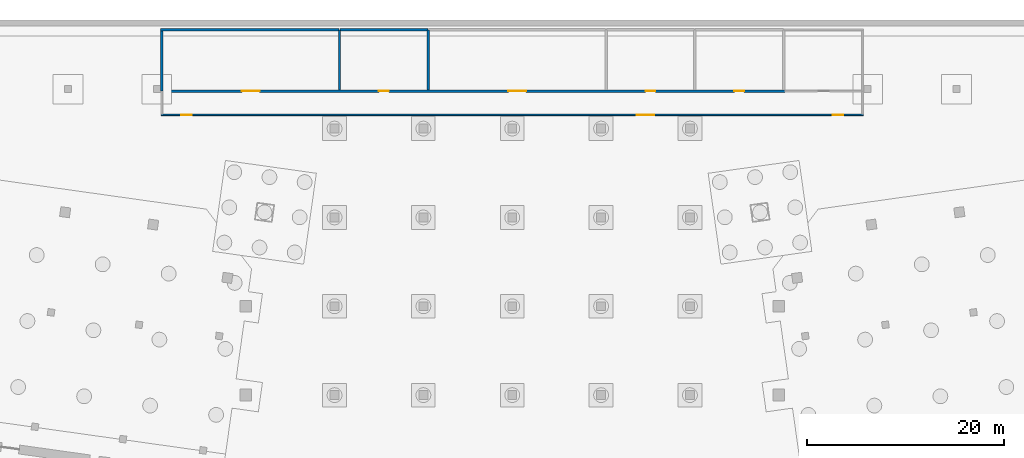
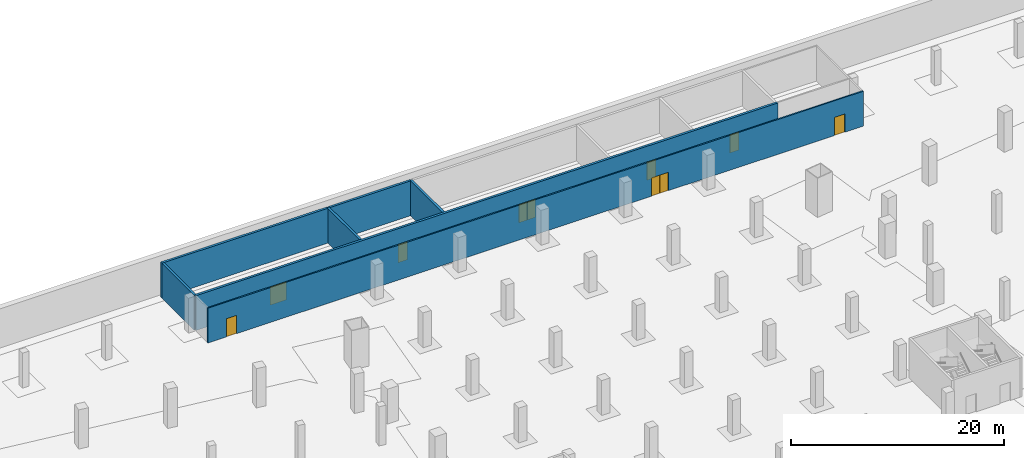
# One storey, part 8 of 19: 8 doors, 7 walls, 8 openings.
"""IFC4 building model written with IfcOpenShell, lengths in metres."""

from ifc_helpers import new_model, si_unit, direction, frame, frame_2d, origin, place, context, subcontext, project, spatial, rectangle, extrude, material, layer, layer_set, type_object, element, fill, save


model = new_model("IFC4")

# Units and contexts
model_context = context("Model", 3, precision=1e-05, world=origin(), true_north=direction((0.0, 1.0)))
body_context = subcontext(model_context, "Body", "Model", "MODEL_VIEW")
ifc_project = project(units=[si_unit("LENGTHUNIT", "METRE"), si_unit("AREAUNIT", "SQUARE_METRE"), si_unit("VOLUMEUNIT", "CUBIC_METRE"), si_unit("PLANEANGLEUNIT", "RADIAN"), si_unit("MASSUNIT", "GRAM", prefix="KILO")], contexts=[model_context])

# Site, building, storey
site_placement = place(None, origin())
site = spatial("IfcSite", under=ifc_project, at=site_placement, CompositionType="ELEMENT")
building_placement = place(site_placement, origin())
building = spatial("IfcBuilding", under=site, at=building_placement, Name="Mirante Cascada Hotel Towers", CompositionType="ELEMENT")
storey_placement = place(building_placement, frame((0.0, 0.0, -9.0)))
storey = spatial("IfcBuildingStorey", under=building, at=storey_placement, Name="B2", CompositionType="ELEMENT", Elevation=-9.0)

# Wall, openings, doors
ifc_material_1 = material(Name="Masonry block", Category="masonry")
ifc_layer_1 = layer(ifc_material_1, 0.25)
ifc_layer_set_1 = layer_set([ifc_layer_1], Name="Basement plant room wall 250 block EI 120")
wall_type_1 = type_object("IfcWallType", Name="Basement plant room wall 250 block EI 120", PredefinedType="PARTITIONING", material=ifc_layer_set_1)
wall_1_placement = place(storey_placement, frame((-35.5, 30.8, 0.0), z_axis=(0.0, 0.0, 1.0), x_axis=(1.0, 0.0, 0.0)))
wall_1 = element("IfcWall", 1, at=wall_1_placement, inside=storey, type_object=wall_type_1, Name="Plant room wall B2", PredefinedType="PARTITIONING", context=body_context, shape_type="SweptSolid", body=[
    extrude(rectangle(XDim=63.135, YDim=0.25, at=frame_2d((31.5675, 0.0))), origin(), (0.0, 0.0, 1.0), 4.0),
])
opening_1_placement = place(wall_1_placement, frame((8.1, 0.0, 0.0)))
opening_1 = element("IfcOpeningElement", 2, at=opening_1_placement, cuts=wall_1, Name="Opening DB-2-01", PredefinedType="OPENING", context=body_context, shape_type="SweptSolid", body=[
    extrude(rectangle(XDim=1.8, YDim=2.1, at=frame_2d((0.9, 1.05))), frame((0.0, 0.125, 0.0), z_axis=(0.0, -1.0, 0.0), x_axis=(1.0, 0.0, 0.0)), (0.0, 0.0, 1.0), 0.25),
])
opening_2_placement = place(wall_1_placement, frame((22.0, 0.0, 0.0)))
opening_2 = element("IfcOpeningElement", 3, at=opening_2_placement, cuts=wall_1, Name="Opening DB-2-02", PredefinedType="OPENING", context=body_context, shape_type="SweptSolid", body=[
    extrude(rectangle(XDim=1.0, YDim=2.1, at=frame_2d((0.5, 1.05))), frame((0.0, 0.125, 0.0), z_axis=(0.0, -1.0, 0.0), x_axis=(1.0, 0.0, 0.0)), (0.0, 0.0, 1.0), 0.25),
])
opening_3_placement = place(wall_1_placement, frame((35.1, 0.0, 0.0)))
opening_3 = element("IfcOpeningElement", 4, at=opening_3_placement, cuts=wall_1, Name="Opening DB-2-03", PredefinedType="OPENING", context=body_context, shape_type="SweptSolid", body=[
    extrude(rectangle(XDim=1.8, YDim=2.1, at=frame_2d((0.9, 1.05))), frame((0.0, 0.125, 0.0), z_axis=(0.0, -1.0, 0.0), x_axis=(1.0, 0.0, 0.0)), (0.0, 0.0, 1.0), 0.25),
])
opening_4_placement = place(wall_1_placement, frame((49.0, 0.0, 0.0)))
opening_4 = element("IfcOpeningElement", 5, at=opening_4_placement, cuts=wall_1, Name="Opening DB-2-04", PredefinedType="OPENING", context=body_context, shape_type="SweptSolid", body=[
    extrude(rectangle(XDim=1.0, YDim=2.1, at=frame_2d((0.5, 1.05))), frame((0.0, 0.125, 0.0), z_axis=(0.0, -1.0, 0.0), x_axis=(1.0, 0.0, 0.0)), (0.0, 0.0, 1.0), 0.25),
])
opening_5_placement = place(wall_1_placement, frame((58.0, 0.0, 0.0)))
opening_5 = element("IfcOpeningElement", 6, at=opening_5_placement, cuts=wall_1, Name="Opening DB-2-05", PredefinedType="OPENING", context=body_context, shape_type="SweptSolid", body=[
    extrude(rectangle(XDim=1.0, YDim=2.1, at=frame_2d((0.5, 1.05))), frame((0.0, 0.125, 0.0), z_axis=(0.0, -1.0, 0.0), x_axis=(1.0, 0.0, 0.0)), (0.0, 0.0, 1.0), 0.25),
])
ifc_material_2 = material(Name="Hollow metal fire door leaf")
door_type_1 = type_object("IfcDoorType", Name="Basement double fire door 1800x2100 FD60", OperationType="DOUBLE_DOOR_SINGLE_SWING", PredefinedType="DOOR", material=ifc_material_2)
door_1_placement = place(opening_1_placement, origin())
door_1 = element("IfcDoor", 7, at=door_1_placement, inside=storey, type_object=door_type_1, Name="Door to generator room DB-2-01", OperationType="DOUBLE_DOOR_SINGLE_SWING", OverallHeight=2.1, OverallWidth=1.8, PredefinedType="DOOR", context=body_context, shape_type="SweptSolid", body=[
    extrude(rectangle(XDim=0.895, YDim=2.1, at=frame_2d((0.4475, 1.05))), frame((0.0, 0.025, 0.0), z_axis=(0.0, -1.0, 0.0), x_axis=(1.0, 0.0, 0.0)), (0.0, 0.0, 1.0), 0.05),
    extrude(rectangle(XDim=0.895, YDim=2.1, at=frame_2d((1.3525, 1.05))), frame((0.0, 0.025, 0.0), z_axis=(0.0, -1.0, 0.0), x_axis=(1.0, 0.0, 0.0)), (0.0, 0.0, 1.0), 0.05),
])
fill(opening_1, door_1)
door_2_placement = place(opening_3_placement, origin())
door_2 = element("IfcDoor", 8, at=door_2_placement, inside=storey, type_object=door_type_1, Name="Door to water tank room DB-2-03", OperationType="DOUBLE_DOOR_SINGLE_SWING", OverallHeight=2.1, OverallWidth=1.8, PredefinedType="DOOR", context=body_context, shape_type="SweptSolid", body=[
    extrude(rectangle(XDim=0.895, YDim=2.1, at=frame_2d((0.4475, 1.05))), frame((0.0, 0.025, 0.0), z_axis=(0.0, -1.0, 0.0), x_axis=(1.0, 0.0, 0.0)), (0.0, 0.0, 1.0), 0.05),
    extrude(rectangle(XDim=0.895, YDim=2.1, at=frame_2d((1.3525, 1.05))), frame((0.0, 0.025, 0.0), z_axis=(0.0, -1.0, 0.0), x_axis=(1.0, 0.0, 0.0)), (0.0, 0.0, 1.0), 0.05),
])
fill(opening_3, door_2)
ifc_material_3 = material(Name="Hollow metal fire door leaf")
door_type_2 = type_object("IfcDoorType", Name="Basement fire door 1000x2100 FD60", OperationType="NOTDEFINED", PredefinedType="DOOR", material=ifc_material_3)
door_3_placement = place(opening_2_placement, origin())
door_3 = element("IfcDoor", 9, at=door_3_placement, inside=storey, type_object=door_type_2, Name="Door to switchgear room DB-2-02", OperationType="SINGLE_SWING_RIGHT", OverallHeight=2.1, OverallWidth=1.0, PredefinedType="DOOR", context=body_context, shape_type="SweptSolid", body=[
    extrude(rectangle(XDim=1.0, YDim=2.1, at=frame_2d((0.5, 1.05))), frame((0.0, 0.025, 0.0), z_axis=(0.0, -1.0, 0.0), x_axis=(1.0, 0.0, 0.0)), (0.0, 0.0, 1.0), 0.05),
])
fill(opening_2, door_3)
door_4_placement = place(opening_4_placement, origin())
door_4 = element("IfcDoor", 10, at=door_4_placement, inside=storey, type_object=door_type_2, Name="Door to pump room DB-2-04", OperationType="SINGLE_SWING_RIGHT", OverallHeight=2.1, OverallWidth=1.0, PredefinedType="DOOR", context=body_context, shape_type="SweptSolid", body=[
    extrude(rectangle(XDim=1.0, YDim=2.1, at=frame_2d((0.5, 1.05))), frame((0.0, 0.025, 0.0), z_axis=(0.0, -1.0, 0.0), x_axis=(1.0, 0.0, 0.0)), (0.0, 0.0, 1.0), 0.05),
])
fill(opening_4, door_4)
door_5_placement = place(opening_5_placement, origin())
door_5 = element("IfcDoor", 11, at=door_5_placement, inside=storey, type_object=door_type_2, Name="Door to fire pump room DB-2-05", OperationType="SINGLE_SWING_LEFT", OverallHeight=2.1, OverallWidth=1.0, PredefinedType="DOOR", context=body_context, shape_type="SweptSolid", body=[
    extrude(rectangle(XDim=1.0, YDim=2.1, at=frame_2d((0.5, 1.05))), frame((0.0, 0.025, 0.0), z_axis=(0.0, -1.0, 0.0), x_axis=(1.0, 0.0, 0.0)), (0.0, 0.0, 1.0), 0.05),
])
fill(opening_5, door_5)

# Walls
wall_2_placement = place(storey_placement, frame((-35.625, 37.0, 0.0), z_axis=(0.0, 0.0, 1.0), x_axis=(1.0, 0.0, 0.0)))
element("IfcWall", 12, at=wall_2_placement, inside=storey, type_object=wall_type_1, Name="Plant room wall B2", PredefinedType="PARTITIONING", context=body_context, shape_type="SweptSolid", body=[
    extrude(rectangle(XDim=18.095, YDim=0.25, at=frame_2d((9.0475, 0.0))), origin(), (0.0, 0.0, 1.0), 4.0),
])
wall_3_placement = place(storey_placement, frame((-17.47, 37.0, 0.0), z_axis=(0.0, 0.0, 1.0), x_axis=(1.0, 0.0, 0.0)))
element("IfcWall", 13, at=wall_3_placement, inside=storey, type_object=wall_type_1, Name="Plant room wall B2", PredefinedType="PARTITIONING", context=body_context, shape_type="SweptSolid", body=[
    extrude(rectangle(XDim=8.94, YDim=0.25, at=frame_2d((4.47, 0.0))), origin(), (0.0, 0.0, 1.0), 4.0),
])
for number, where, z_axis, x_axis, name in (
    (14, (-8.5, 30.925, 0.0), (0.0, 0.0, 1.0), (0.0, 1.0, 0.0), "Plant room wall B2"),
    (15, (-17.5, 30.925, 0.0), (0.0, 0.0, 1.0), (0.0, 1.0, 0.0), "Plant room wall B2"),
):
    element("IfcWall", number, at=place(storey_placement, frame(where, z_axis=z_axis, x_axis=x_axis)), inside=storey, type_object=wall_type_1, Name=name, PredefinedType="PARTITIONING", context=body_context, shape_type="SweptSolid", body=[
        extrude(rectangle(XDim=6.075, YDim=0.25, at=frame_2d((3.0375, 0.0))), origin(), (0.0, 0.0, 1.0), 4.0),
    ])
wall_4_placement = place(storey_placement, frame((-35.5, 30.83, 0.0), z_axis=(0.0, 0.0, 1.0), x_axis=(0.0, 1.0, 0.0)))
element("IfcWall", 16, at=wall_4_placement, inside=storey, type_object=wall_type_1, Name="Plant room wall B2", PredefinedType="PARTITIONING", context=body_context, shape_type="SweptSolid", body=[
    extrude(rectangle(XDim=6.045, YDim=0.25, at=frame_2d((3.0225, 0.0))), origin(), (0.0, 0.0, 1.0), 4.0),
])

# Wall, openings, doors
ifc_material_4 = material(Name="Masonry block", Category="masonry")
ifc_layer_2 = layer(ifc_material_4, 0.15)
ifc_layer_set_2 = layer_set([ifc_layer_2], Name="Basement service corridor wall 150 block EI 60")
wall_type_2 = type_object("IfcWallType", Name="Basement service corridor wall 150 block EI 60", PredefinedType="PARTITIONING", material=ifc_layer_set_2)
wall_5_placement = place(storey_placement, frame((-35.575, 28.4, 0.0), z_axis=(0.0, 0.0, 1.0), x_axis=(1.0, 0.0, 0.0)))
wall_5 = element("IfcWall", 17, at=wall_5_placement, inside=storey, type_object=wall_type_2, Name="Service corridor wall B2", PredefinedType="PARTITIONING", context=body_context, shape_type="SweptSolid", body=[
    extrude(rectangle(XDim=71.15, YDim=0.15, at=frame_2d((35.575, 0.0))), origin(), (0.0, 0.0, 1.0), 4.0),
])
opening_6_placement = place(wall_5_placement, frame((48.175, 0.0, 0.0)))
opening_6 = element("IfcOpeningElement", 18, at=opening_6_placement, cuts=wall_5, Name="Opening DB-2-07", PredefinedType="OPENING", context=body_context, shape_type="SweptSolid", body=[
    extrude(rectangle(XDim=1.8, YDim=2.1, at=frame_2d((0.9, 1.05))), frame((0.0, 0.075, 0.0), z_axis=(0.0, -1.0, 0.0), x_axis=(1.0, 0.0, 0.0)), (0.0, 0.0, 1.0), 0.15),
])
opening_7_placement = place(wall_5_placement, frame((2.025, 0.0, 0.0)))
opening_7 = element("IfcOpeningElement", 19, at=opening_7_placement, cuts=wall_5, Name="Opening DB-2-08", PredefinedType="OPENING", context=body_context, shape_type="SweptSolid", body=[
    extrude(rectangle(XDim=1.1, YDim=2.1, at=frame_2d((0.55, 1.05))), frame((0.0, 0.075, 0.0), z_axis=(0.0, -1.0, 0.0), x_axis=(1.0, 0.0, 0.0)), (0.0, 0.0, 1.0), 0.15),
])
opening_8_placement = place(wall_5_placement, frame((68.025, 0.0, 0.0)))
opening_8 = element("IfcOpeningElement", 20, at=opening_8_placement, cuts=wall_5, Name="Opening DB-2-09", PredefinedType="OPENING", context=body_context, shape_type="SweptSolid", body=[
    extrude(rectangle(XDim=1.1, YDim=2.1, at=frame_2d((0.55, 1.05))), frame((0.0, 0.075, 0.0), z_axis=(0.0, -1.0, 0.0), x_axis=(1.0, 0.0, 0.0)), (0.0, 0.0, 1.0), 0.15),
])
door_6_placement = place(opening_6_placement, origin())
door_6 = element("IfcDoor", 21, at=door_6_placement, inside=storey, type_object=door_type_1, Name="Door to car park DB-2-07", OperationType="DOUBLE_DOOR_SINGLE_SWING", OverallHeight=2.1, OverallWidth=1.8, PredefinedType="DOOR", context=body_context, shape_type="SweptSolid", body=[
    extrude(rectangle(XDim=0.895, YDim=2.1, at=frame_2d((0.4475, 1.05))), frame((0.0, 0.025, 0.0), z_axis=(0.0, -1.0, 0.0), x_axis=(1.0, 0.0, 0.0)), (0.0, 0.0, 1.0), 0.05),
    extrude(rectangle(XDim=0.895, YDim=2.1, at=frame_2d((1.3525, 1.05))), frame((0.0, 0.025, 0.0), z_axis=(0.0, -1.0, 0.0), x_axis=(1.0, 0.0, 0.0)), (0.0, 0.0, 1.0), 0.05),
])
fill(opening_6, door_6)
ifc_material_5 = material(Name="Hollow metal fire door leaf")
door_type_3 = type_object("IfcDoorType", Name="Basement fire door 1100x2100 FD60", OperationType="NOTDEFINED", PredefinedType="DOOR", material=ifc_material_5)
door_7_placement = place(opening_7_placement, origin())
door_7 = element("IfcDoor", 22, at=door_7_placement, inside=storey, type_object=door_type_3, Name="Door to car park DB-2-08", OperationType="SINGLE_SWING_RIGHT", OverallHeight=2.1, OverallWidth=1.1, PredefinedType="DOOR", context=body_context, shape_type="SweptSolid", body=[
    extrude(rectangle(XDim=1.1, YDim=2.1, at=frame_2d((0.55, 1.05))), frame((0.0, 0.025, 0.0), z_axis=(0.0, -1.0, 0.0), x_axis=(1.0, 0.0, 0.0)), (0.0, 0.0, 1.0), 0.05),
])
fill(opening_7, door_7)
door_8_placement = place(opening_8_placement, origin())
door_8 = element("IfcDoor", 23, at=door_8_placement, inside=storey, type_object=door_type_3, Name="Door to car park DB-2-09", OperationType="SINGLE_SWING_LEFT", OverallHeight=2.1, OverallWidth=1.1, PredefinedType="DOOR", context=body_context, shape_type="SweptSolid", body=[
    extrude(rectangle(XDim=1.1, YDim=2.1, at=frame_2d((0.55, 1.05))), frame((0.0, 0.025, 0.0), z_axis=(0.0, -1.0, 0.0), x_axis=(1.0, 0.0, 0.0)), (0.0, 0.0, 1.0), 0.05),
])
fill(opening_8, door_8)

save(model, "model.ifc")
